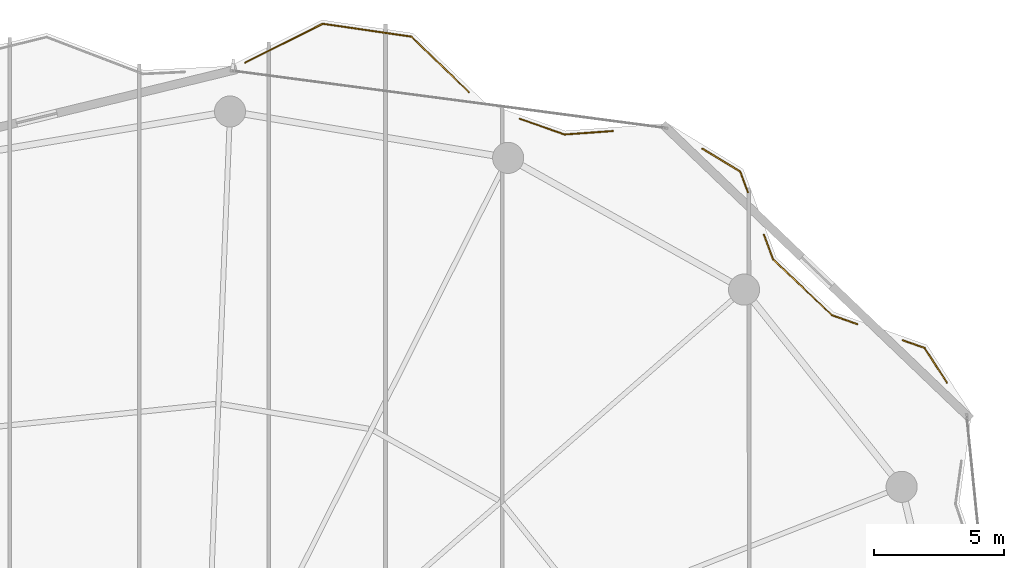
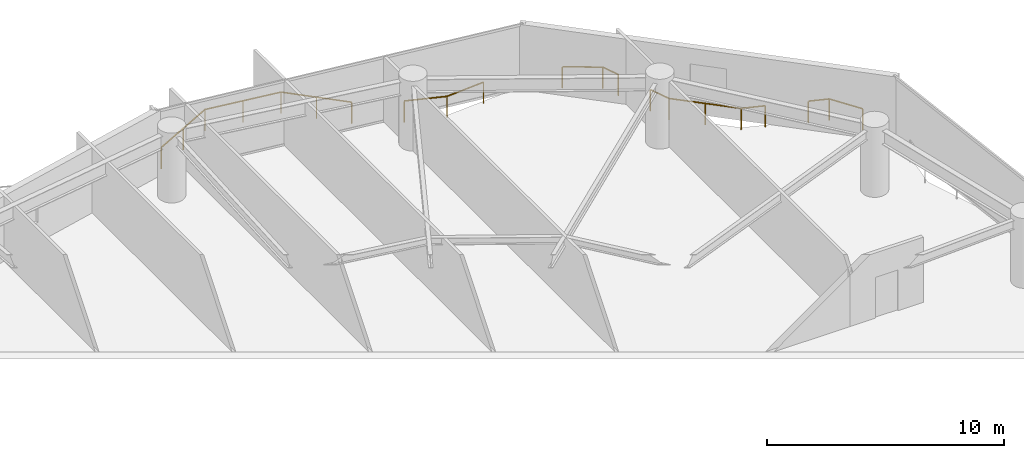
# One storey, part 30 of 30: 5 railings.
"""IFC4 building model written with IfcOpenShell, lengths in metres."""

from ifc_helpers import new_model, si_unit, direction, frame, origin, origin_2d, place, context, subcontext, project, spatial, rectangle, extrude, material, type_object, element, save


model = new_model("IFC4")

# Units and contexts
model_context = context("Model", 3, precision=1e-05, world=origin(), true_north=direction((0.0, 1.0)))
body_context = subcontext(model_context, "Body", "Model", "MODEL_VIEW")
ifc_project = project(units=[si_unit("LENGTHUNIT", "METRE"), si_unit("AREAUNIT", "SQUARE_METRE"), si_unit("VOLUMEUNIT", "CUBIC_METRE"), si_unit("PLANEANGLEUNIT", "RADIAN"), si_unit("MASSUNIT", "GRAM", prefix="KILO")], contexts=[model_context])

# Site, building, storey
site_placement = place(None, origin())
site = spatial("IfcSite", under=ifc_project, at=site_placement, CompositionType="ELEMENT")
building_placement = place(site_placement, origin())
building = spatial("IfcBuilding", under=site, at=building_placement, Name="Kazevale Care Tower and Concert Hall", CompositionType="ELEMENT")
storey_placement = place(building_placement, frame((0.0, 0.0, 113.39990234375)))
storey = spatial("IfcBuildingStorey", under=building, at=storey_placement, Name="L29", CompositionType="ELEMENT", Elevation=113.39990234375)

# Railings
ifc_material = material(Name="Anodised Bronze Aluminium and Laminated Glass", Category="aluminium")
railing_type = type_object("IfcRailingType", Name="Balcony and Terrace Balustrade 1120", PredefinedType="BALUSTRADE", material=ifc_material)
railing_1_placement = place(storey_placement, frame((45.58203125, 63.3349609375, 0.0)))
element("IfcRailing", 1, at=railing_1_placement, inside=storey, type_object=railing_type, Name="rail:L29:perim:6", PredefinedType="BALUSTRADE", context=body_context, shape_type="SweptSolid", body=[
    extrude(rectangle(XDim=0.048095703125, YDim=0.048095703125, at=origin_2d()), frame((0.0, 0.0, 1.09619140625), z_axis=(0.894295970648, 0.447475940003, 0.0), x_axis=(-0.447475940003, 0.894295970648, 0.0)), (0.0, 0.0, 1.0), 3.349853515625),
    extrude(rectangle(XDim=0.048095703125, YDim=0.048095703125, at=origin_2d()), frame((2.995849609375, 1.4990234375, 1.09619140625), z_axis=(0.989614943685, -0.143743741553, 0.0), x_axis=(0.143743741553, 0.989614943685, 0.0)), (0.0, 0.0, 1.0), 3.4580078125),
    extrude(rectangle(XDim=0.048095703125, YDim=0.048095703125, at=origin_2d()), frame((6.41796875, 1.001953125, 1.09619140625), z_axis=(0.719198097767, -0.694805077823, 0.0), x_axis=(0.694805077823, 0.719198097767, 0.0)), (0.0, 0.0, 1.0), 3.082763671875),
    extrude(rectangle(XDim=0.0419921875, YDim=0.0419921875, at=origin_2d()), origin(), (0.0, 0.0, 1.0), 1.072021484375),
    extrude(rectangle(XDim=0.0419921875, YDim=0.0419921875, at=origin_2d()), frame((1.498046875, 0.74951171875, 0.0)), (0.0, 0.0, 1.0), 1.072021484375),
    extrude(rectangle(XDim=0.0419921875, YDim=0.0419921875, at=origin_2d()), frame((2.995849609375, 1.4990234375, 0.0)), (0.0, 0.0, 1.0), 1.072021484375),
    extrude(rectangle(XDim=0.0419921875, YDim=0.0419921875, at=origin_2d()), frame((4.70703125, 1.25048828125, 0.0)), (0.0, 0.0, 1.0), 1.072021484375),
    extrude(rectangle(XDim=0.0419921875, YDim=0.0419921875, at=origin_2d()), frame((6.41796875, 1.001953125, 0.0)), (0.0, 0.0, 1.0), 1.072021484375),
    extrude(rectangle(XDim=0.0419921875, YDim=0.0419921875, at=origin_2d()), frame((7.5263671875, -0.06884765625, 0.0)), (0.0, 0.0, 1.0), 1.072021484375),
    extrude(rectangle(XDim=0.0419921875, YDim=0.0419921875, at=origin_2d()), frame((8.635009765625, -1.139892578125, 0.0)), (0.0, 0.0, 1.0), 1.072021484375),
])
railing_2_placement = place(storey_placement, frame((56.177001953125, 61.169921875, 0.0)))
element("IfcRailing", 2, at=railing_2_placement, inside=storey, type_object=railing_type, Name="rail:L29:perim:7", PredefinedType="BALUSTRADE", context=body_context, shape_type="SweptSolid", body=[
    extrude(rectangle(XDim=0.048095703125, YDim=0.048095703125, at=origin_2d()), frame((0.0, 0.0, 1.09619140625), z_axis=(0.943845924202, -0.330385943054, 0.0), x_axis=(0.330385943054, 0.943845924202, 0.0)), (0.0, 0.0, 1.0), 1.837158203125),
    extrude(rectangle(XDim=0.048095703125, YDim=0.048095703125, at=origin_2d()), frame((1.73388671875, -0.60693359375, 1.09619140625), z_axis=(0.997446044484, 0.071424003974, 0.0), x_axis=(-0.071424003974, 0.997446044484, 0.0)), (0.0, 0.0, 1.0), 1.86279296875),
    extrude(rectangle(XDim=0.0419921875, YDim=0.0419921875, at=origin_2d()), origin(), (0.0, 0.0, 1.0), 1.072021484375),
    extrude(rectangle(XDim=0.0419921875, YDim=0.0419921875, at=origin_2d()), frame((1.73388671875, -0.60693359375, 0.0)), (0.0, 0.0, 1.0), 1.072021484375),
    extrude(rectangle(XDim=0.0419921875, YDim=0.0419921875, at=origin_2d()), frame((3.592041015625, -0.473876953125, 0.0)), (0.0, 0.0, 1.0), 1.072021484375),
])
railing_3_placement = place(storey_placement, frame((63.218017578125, 60.02001953125, 0.0)))
element("IfcRailing", 3, at=railing_3_placement, inside=storey, type_object=railing_type, Name="rail:L29:perim:8", PredefinedType="BALUSTRADE", context=body_context, shape_type="SweptSolid", body=[
    extrude(rectangle(XDim=0.048095703125, YDim=0.048095703125, at=origin_2d()), frame((0.0, 0.0, 1.09619140625), z_axis=(0.855004324382, -0.518620868542, 0.0), x_axis=(0.518620868542, 0.855004324382, 0.0)), (0.0, 0.0, 1.0), 1.712158203125),
    extrude(rectangle(XDim=0.048095703125, YDim=0.048095703125, at=origin_2d()), frame((1.4638671875, -0.887939453125, 1.09619140625), z_axis=(0.350274461478, -0.936647106245, 0.0), x_axis=(0.936647106245, 0.350274461478, 0.0)), (0.0, 0.0, 1.0), 0.85107421875),
    extrude(rectangle(XDim=0.0419921875, YDim=0.0419921875, at=origin_2d()), origin(), (0.0, 0.0, 1.0), 1.072021484375),
    extrude(rectangle(XDim=0.0419921875, YDim=0.0419921875, at=origin_2d()), frame((1.4638671875, -0.887939453125, 0.0)), (0.0, 0.0, 1.0), 1.072021484375),
    extrude(rectangle(XDim=0.0419921875, YDim=0.0419921875, at=origin_2d()), frame((1.761962890625, -1.68505859375, 0.0)), (0.0, 0.0, 1.0), 1.072021484375),
])
railing_4_placement = place(storey_placement, frame((65.593994140625, 56.696044921875, 0.0)))
element("IfcRailing", 4, at=railing_4_placement, inside=storey, type_object=railing_type, Name="rail:L29:perim:9", PredefinedType="BALUSTRADE", context=body_context, shape_type="SweptSolid", body=[
    extrude(rectangle(XDim=0.048095703125, YDim=0.048095703125, at=origin_2d()), frame((0.0, 0.0, 1.09619140625), z_axis=(0.35059921424, -0.936525595472, 0.0), x_axis=(0.936525595472, 0.35059921424, 0.0)), (0.0, 0.0, 1.0), 1.020751953125),
    extrude(rectangle(XDim=0.048095703125, YDim=0.048095703125, at=origin_2d()), frame((0.35791015625, -0.9560546875, 1.09619140625), z_axis=(0.726387325624, -0.687285568867, 0.0), x_axis=(0.687285568867, 0.726387325624, 0.0)), (0.0, 0.0, 1.0), 3.128173828125),
    extrude(rectangle(XDim=0.048095703125, YDim=0.048095703125, at=origin_2d()), frame((2.630126953125, -3.10595703125, 1.09619140625), z_axis=(0.942764361148, -0.333459681743, 0.0), x_axis=(0.333459681743, 0.942764361148, 0.0)), (0.0, 0.0, 1.0), 1.0380859375),
    extrude(rectangle(XDim=0.0419921875, YDim=0.0419921875, at=origin_2d()), origin(), (0.0, 0.0, 1.0), 1.072021484375),
    extrude(rectangle(XDim=0.0419921875, YDim=0.0419921875, at=origin_2d()), frame((0.35791015625, -0.9560546875, 0.0)), (0.0, 0.0, 1.0), 1.072021484375),
    extrude(rectangle(XDim=0.0419921875, YDim=0.0419921875, at=origin_2d()), frame((1.494140625, -2.031005859375, 0.0)), (0.0, 0.0, 1.0), 1.072021484375),
    extrude(rectangle(XDim=0.0419921875, YDim=0.0419921875, at=origin_2d()), frame((2.630126953125, -3.10595703125, 0.0)), (0.0, 0.0, 1.0), 1.072021484375),
    extrude(rectangle(XDim=0.0419921875, YDim=0.0419921875, at=origin_2d()), frame((3.60888671875, -3.4521484375, 0.0)), (0.0, 0.0, 1.0), 1.072021484375),
])
railing_5_placement = place(storey_placement, frame((70.947021484375, 52.626953125, 0.0)))
element("IfcRailing", 5, at=railing_5_placement, inside=storey, type_object=railing_type, Name="rail:L29:perim:11", PredefinedType="BALUSTRADE", context=body_context, shape_type="SweptSolid", body=[
    extrude(rectangle(XDim=0.048095703125, YDim=0.048095703125, at=origin_2d()), frame((0.0, 0.0, 1.09619140625), z_axis=(0.94312106056, -0.332449492598, 0.0), x_axis=(0.332449492598, 0.94312106056, 0.0)), (0.0, 0.0, 1.0), 0.89599609375),
    extrude(rectangle(XDim=0.048095703125, YDim=0.048095703125, at=origin_2d()), frame((0.844970703125, -0.2978515625, 1.09619140625), z_axis=(0.542760428635, -0.839887562182, 0.0), x_axis=(0.839887562182, 0.542760428635, 0.0)), (0.0, 0.0, 1.0), 1.58837890625),
    extrude(rectangle(XDim=0.0419921875, YDim=0.0419921875, at=origin_2d()), origin(), (0.0, 0.0, 1.0), 1.072021484375),
    extrude(rectangle(XDim=0.0419921875, YDim=0.0419921875, at=origin_2d()), frame((0.844970703125, -0.2978515625, 0.0)), (0.0, 0.0, 1.0), 1.072021484375),
    extrude(rectangle(XDim=0.0419921875, YDim=0.0419921875, at=origin_2d()), frame((1.70703125, -1.6318359375, 0.0)), (0.0, 0.0, 1.0), 1.072021484375),
])

save(model, "model.ifc")
